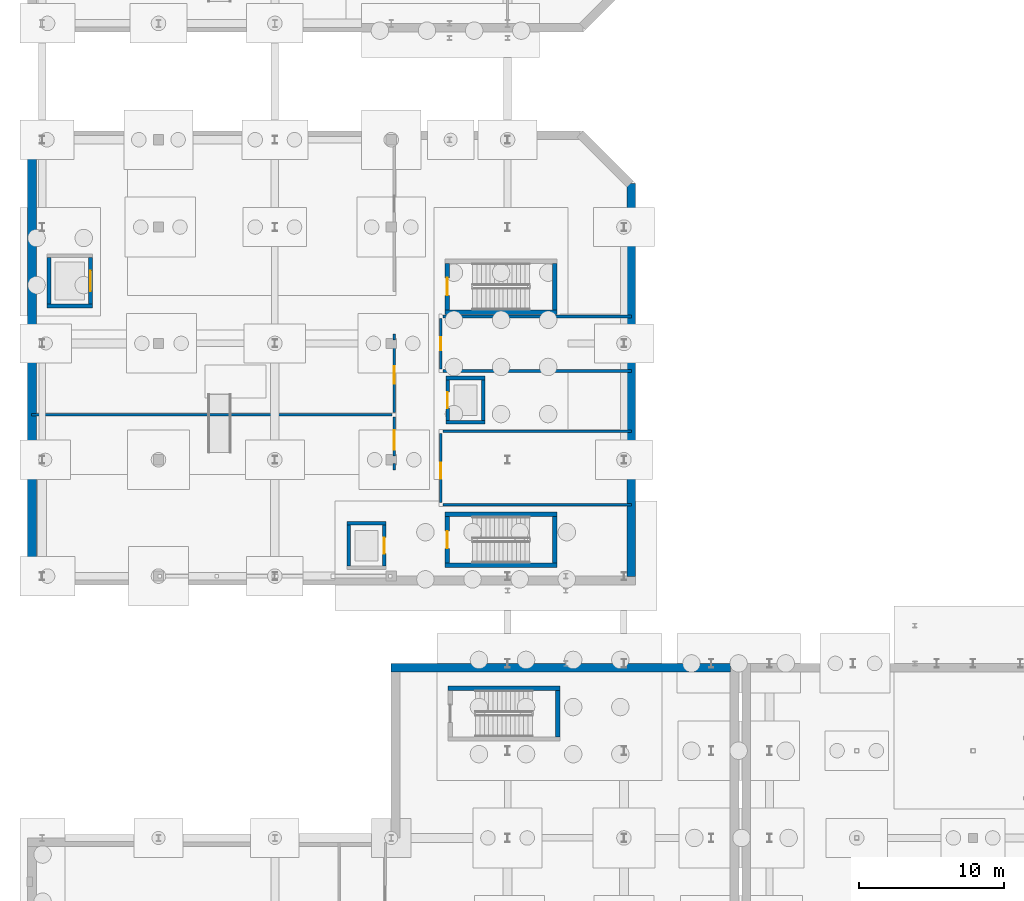
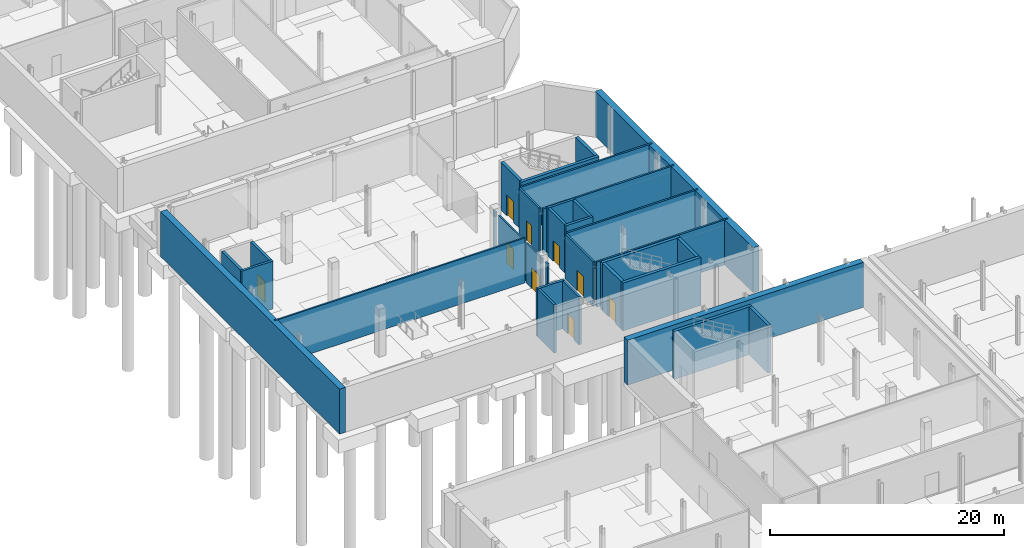
# One storey, part 24 of 47: 33 walls, 9 doors, 9 openings.
"""IFC4 building model written with IfcOpenShell, lengths in metres."""

from ifc_helpers import new_model, si_unit, direction, frame, frame_2d, origin, place, context, subcontext, project, spatial, rectangle, extrude, material, layer, layer_set, type_object, element, fill, save


model = new_model("IFC4")

# Units and contexts
model_context = context("Model", 3, precision=1e-05, world=origin(), true_north=direction((0.0, 1.0)))
body_context = subcontext(model_context, "Body", "Model", "MODEL_VIEW")
ifc_project = project(units=[si_unit("LENGTHUNIT", "METRE"), si_unit("AREAUNIT", "SQUARE_METRE"), si_unit("VOLUMEUNIT", "CUBIC_METRE"), si_unit("PLANEANGLEUNIT", "RADIAN"), si_unit("MASSUNIT", "GRAM", prefix="KILO")], contexts=[model_context])

# Site, building, storey
site_placement = place(None, origin())
site = spatial("IfcSite", under=ifc_project, at=site_placement, CompositionType="ELEMENT")
building_placement = place(site_placement, origin())
building = spatial("IfcBuilding", under=site, at=building_placement, Name="Cymarion Research Institute", CompositionType="ELEMENT")
storey_placement = place(building_placement, frame((0.0, 0.0, -5.0)))
storey = spatial("IfcBuildingStorey", under=building, at=storey_placement, Name="B1", CompositionType="ELEMENT", Elevation=-5.0)

# Walls
ifc_material_1 = material(Name="Concrete C35/45", Category="concrete")
ifc_layer_1 = layer(ifc_material_1, 0.60009765625)
ifc_layer_set_1 = layer_set([ifc_layer_1], Name="Concrete C35/45")
wall_type_1 = type_object("IfcWallType", Name="EXTERIOR WALL EW-RET600 600MM", PredefinedType="SHEAR", material=ifc_layer_set_1)
wall_1_placement = place(storey_placement, frame((53.91796875, 41.199951171875, 0.0), z_axis=(0.0, 0.0, 1.0), x_axis=(-1.0, 0.0, 0.0)))
element("IfcWall", 1, at=wall_1_placement, inside=storey, type_object=wall_type_1, Name="B1 V3 exterior wall EW-RET600 #24", PredefinedType="SHEAR", context=body_context, shape_type="SweptSolid", body=[
    extrude(rectangle(XDim=23.31787109375, YDim=0.60009765625, at=frame_2d((11.658935546875, 0.0))), origin(), (0.0, 0.0, 1.0), 4.699951171875),
])
wall_2_placement = place(storey_placement, frame((47.10009765625, 47.48193359375, 0.0), z_axis=(0.0, 0.0, 1.0), x_axis=(0.0, 1.0, 0.0)))
element("IfcWall", 2, at=wall_2_placement, inside=storey, type_object=wall_type_1, Name="B1 V4 exterior wall EW-RET600 #29", PredefinedType="SHEAR", context=body_context, shape_type="SweptSolid", body=[
    extrude(rectangle(XDim=27.01806640625, YDim=0.60009765625, at=frame_2d((13.509033203125, 0.0))), origin(), (0.0, 0.0, 1.0), 4.699951171875),
])
wall_3_placement = place(storey_placement, frame((5.89990234375, 77.51806640625, 0.0), z_axis=(0.0, 0.0, 1.0), x_axis=(0.0, -1.0, 0.0)))
element("IfcWall", 3, at=wall_3_placement, inside=storey, type_object=wall_type_1, Name="B1 V4 exterior wall EW-RET600 #32", PredefinedType="SHEAR", context=body_context, shape_type="SweptSolid", body=[
    extrude(rectangle(XDim=30.6181640625, YDim=0.60009765625, at=frame_2d((15.30908203125, 0.0))), origin(), (0.0, 0.0, 1.0), 4.699951171875),
])
ifc_material_2 = material(Name="ISO cleanroom modular flush panel wall", Category="metal")
ifc_layer_2 = layer(ifc_material_2, 0.159912109375)
ifc_layer_set_2 = layer_set([ifc_layer_2], Name="ISO cleanroom modular flush panel wall")
wall_type_2 = type_object("IfcWallType", Name="INTERIOR PARTITION IW-CL160 160MM", PredefinedType="PARTITIONING", material=ifc_layer_set_2)
wall_4_placement = place(storey_placement, frame((5.885009765625, 58.60009765625, 0.0), z_axis=(0.0, 0.0, 1.0), x_axis=(1.0, 0.0, 0.0)))
element("IfcWall", 4, at=wall_4_placement, inside=storey, type_object=wall_type_2, Name="B1 V4 interior partition IW-CL160 #24", PredefinedType="PARTITIONING", context=body_context, shape_type="SweptSolid", body=[
    extrude(rectangle(XDim=24.764892578125, YDim=0.159912109375, at=frame_2d((12.38232421875, 0.0))), origin(), (0.0, 0.0, 1.0), 4.699951171875),
])
wall_5_placement = place(storey_placement, frame((30.800048828125, 54.800048828125, 0.0), z_axis=(0.0, 0.0, 1.0), x_axis=(0.0, 1.0, 0.0)))
element("IfcWall", 5, at=wall_5_placement, inside=storey, type_object=wall_type_2, Name="B1 V4 interior partition IW-CL160 #25", PredefinedType="PARTITIONING", context=body_context, shape_type="SweptSolid", body=[
    extrude(rectangle(XDim=0.449951171875, YDim=0.159912109375, at=frame_2d((0.22509765625, 0.0))), origin(), (0.0, 0.0, 1.0), 4.199951171875),
])

# Wall, opening, door
wall_6_placement = place(storey_placement, frame((30.800048828125, 55.75, 0.0), z_axis=(0.0, 0.0, 1.0), x_axis=(0.0, 1.0, 0.0)))
wall_6 = element("IfcWall", 6, at=wall_6_placement, inside=storey, type_object=wall_type_2, Name="B1 V4 interior partition IW-CL160 #26", PredefinedType="PARTITIONING", context=body_context, shape_type="SweptSolid", body=[
    extrude(rectangle(XDim=2.699951171875, YDim=0.159912109375, at=frame_2d((1.35009765625, 0.0))), origin(), (0.0, 0.0, 1.0), 4.199951171875),
])
opening_1_placement = place(wall_6_placement, frame((0.43798828125, 0.0, 0.0)))
opening_1 = element("IfcOpeningElement", 7, at=opening_1_placement, cuts=wall_6, Name="Opening D-B1-022", PredefinedType="OPENING", context=body_context, shape_type="SweptSolid", body=[
    extrude(rectangle(XDim=1.35009765625, YDim=2.14990234375, at=frame_2d((0.675048828125, 1.074951171875))), frame((0.0, 0.08984375, 0.0), z_axis=(0.0, -1.0, 0.0), x_axis=(1.0, 0.0, 0.0)), (0.0, 0.0, 1.0), 0.179931640625),
])
ifc_material_3 = material(Name="Flush acoustic timber/steel door assembly", Category="steel")
door_type_1 = type_object("IfcDoorType", Name="CLEANROOM GOWNING DOOR DT-CL135 1350X2150", OperationType="NOTDEFINED", PredefinedType="DOOR", material=ifc_material_3)
door_1_placement = place(opening_1_placement, frame((1.35009765625, 0.0, 0.0), z_axis=(0.0, 0.0, 1.0), x_axis=(-1.0, 0.0, 0.0)))
door_1 = element("IfcDoor", 8, at=door_1_placement, inside=storey, type_object=door_type_1, Name="B1 Gowning Airlock door D-B1-022", OperationType="SINGLE_SWING_LEFT", OverallHeight=2.14990234375, OverallWidth=1.35009765625, PredefinedType="DOOR", context=body_context, shape_type="SweptSolid", body=[
    extrude(rectangle(XDim=1.35009765625, YDim=2.14990234375, at=frame_2d((0.675048828125, 1.074951171875))), frame((0.0, 0.02490234375, 0.0), z_axis=(0.0, -1.0, 0.0), x_axis=(1.0, 0.0, 0.0)), (0.0, 0.0, 1.0), 0.050048828125),
])
fill(opening_1, door_1)

wall_7_placement = place(storey_placement, frame((30.800048828125, 58.75, 0.0), z_axis=(0.0, 0.0, 1.0), x_axis=(0.0, 1.0, 0.0)))
wall_7 = element("IfcWall", 9, at=wall_7_placement, inside=storey, type_object=wall_type_2, Name="B1 V4 interior partition IW-CL160 #27", PredefinedType="PARTITIONING", context=body_context, shape_type="SweptSolid", body=[
    extrude(rectangle(XDim=4.5, YDim=0.159912109375, at=frame_2d((2.25, 0.0))), origin(), (0.0, 0.0, 1.0), 4.199951171875),
])
opening_2_placement = place(wall_7_placement, frame((1.97998046875, 0.0, 0.0)))
opening_2 = element("IfcOpeningElement", 10, at=opening_2_placement, cuts=wall_7, Name="Opening D-B1-023", PredefinedType="OPENING", context=body_context, shape_type="SweptSolid", body=[
    extrude(rectangle(XDim=1.199951171875, YDim=2.14990234375, at=frame_2d((0.60009765625, 1.074951171875))), frame((0.0, 0.08984375, 0.0), z_axis=(0.0, -1.0, 0.0), x_axis=(1.0, 0.0, 0.0)), (0.0, 0.0, 1.0), 0.179931640625),
])
door_type_2 = type_object("IfcDoorType", Name="CLEANROOM AIRLOCK INTERLOCK DOOR DT-CL120 1200X2150", OperationType="NOTDEFINED", PredefinedType="DOOR", material=ifc_material_3)
door_2_placement = place(opening_2_placement, origin())
door_2 = element("IfcDoor", 11, at=door_2_placement, inside=storey, type_object=door_type_2, Name="B1 Cleanroom Bay door D-B1-023", OperationType="SINGLE_SWING_RIGHT", OverallHeight=2.14990234375, OverallWidth=1.199951171875, PredefinedType="DOOR", context=body_context, shape_type="SweptSolid", body=[
    extrude(rectangle(XDim=1.199951171875, YDim=2.14990234375, at=frame_2d((0.60009765625, 1.074951171875))), frame((0.0, 0.02490234375, 0.0), z_axis=(0.0, -1.0, 0.0), x_axis=(1.0, 0.0, 0.0)), (0.0, 0.0, 1.0), 0.050048828125),
])
fill(opening_2, door_2)

# Walls
wall_8_placement = place(storey_placement, frame((30.800048828125, 63.75, 0.0), z_axis=(0.0, 0.0, 1.0), x_axis=(0.0, 1.0, 0.0)))
element("IfcWall", 12, at=wall_8_placement, inside=storey, type_object=wall_type_2, Name="B1 V4 interior partition IW-CL160 #28", PredefinedType="PARTITIONING", context=body_context, shape_type="SweptSolid", body=[
    extrude(rectangle(XDim=0.39990234375, YDim=0.159912109375, at=frame_2d((0.199951171875, 0.0))), origin(), (0.0, 0.0, 1.0), 4.199951171875),
])
ifc_material_4 = material(Name="Moisture-resistant laboratory partition", Category="gypsum")
ifc_layer_3 = layer(ifc_material_4, 0.179931640625)
ifc_layer_set_3 = layer_set([ifc_layer_3], Name="Moisture-resistant laboratory partition")
wall_type_3 = type_object("IfcWallType", Name="INTERIOR PARTITION IW-LB180 180MM", PredefinedType="PARTITIONING", material=ifc_layer_set_3)
for number, where, z_axis, x_axis, name in (
    (13, (34.14990234375, 52.39990234375, 0.0), (0.0, 0.0, 1.0), (1.0, 0.0, 0.0), "B1 V4 interior partition IW-LB180 #31"),
    (14, (34.14990234375, 57.449951171875, 0.0), (0.0, 0.0, 1.0), (1.0, 0.0, 0.0), "B1 V4 interior partition IW-LB180 #32"),
    (15, (34.14990234375, 61.60009765625, 0.0), (0.0, 0.0, 1.0), (1.0, 0.0, 0.0), "B1 V4 interior partition IW-LB180 #33"),
    (16, (34.14990234375, 65.35009765625, 0.0), (0.0, 0.0, 1.0), (1.0, 0.0, 0.0), "B1 V4 interior partition IW-LB180 #34"),
):
    element("IfcWall", number, at=place(storey_placement, frame(where, z_axis=z_axis, x_axis=x_axis)), inside=storey, type_object=wall_type_3, Name=name, PredefinedType="PARTITIONING", context=body_context, shape_type="SweptSolid", body=[
        extrude(rectangle(XDim=12.965087890625, YDim=0.179931640625, at=frame_2d((6.482421875, 0.0))), origin(), (0.0, 0.0, 1.0), 4.699951171875),
    ])

# Wall, opening, door
wall_9_placement = place(storey_placement, frame((34.0, 52.550048828125, 0.0), z_axis=(0.0, 0.0, 1.0), x_axis=(0.0, 1.0, 0.0)))
wall_9 = element("IfcWall", 17, at=wall_9_placement, inside=storey, type_object=wall_type_3, Name="B1 V4 interior partition IW-LB180 #35", PredefinedType="PARTITIONING", context=body_context, shape_type="SweptSolid", body=[
    extrude(rectangle(XDim=4.77001953125, YDim=0.179931640625, at=frame_2d((2.385009765625, 0.0))), origin(), (0.0, 0.0, 1.0), 4.699951171875),
])
opening_3_placement = place(wall_9_placement, frame((1.652099609375, 0.0, 0.0)))
opening_3 = element("IfcOpeningElement", 18, at=opening_3_placement, cuts=wall_9, Name="Opening D-B1-025", PredefinedType="OPENING", context=body_context, shape_type="SweptSolid", body=[
    extrude(rectangle(XDim=1.10009765625, YDim=2.14990234375, at=frame_2d((0.550048828125, 1.074951171875))), frame((0.0, 0.099853515625, 0.0), z_axis=(0.0, -1.0, 0.0), x_axis=(1.0, 0.0, 0.0)), (0.0, 0.0, 1.0), 0.199951171875),
])
door_type_3 = type_object("IfcDoorType", Name="LABORATORY WIDE SINGLE DOOR DT-LB110 1100X2150", OperationType="NOTDEFINED", PredefinedType="DOOR", material=ifc_material_3)
door_3_placement = place(opening_3_placement, origin())
door_3 = element("IfcDoor", 19, at=door_3_placement, inside=storey, type_object=door_type_3, Name="B1 East Lab Entry door D-B1-025", OperationType="SINGLE_SWING_RIGHT", OverallHeight=2.14990234375, OverallWidth=1.10009765625, PredefinedType="DOOR", context=body_context, shape_type="SweptSolid", body=[
    extrude(rectangle(XDim=1.10009765625, YDim=2.14990234375, at=frame_2d((0.550048828125, 1.074951171875))), frame((0.0, 0.02490234375, 0.0), z_axis=(0.0, -1.0, 0.0), x_axis=(1.0, 0.0, 0.0)), (0.0, 0.0, 1.0), 0.050048828125),
])
fill(opening_3, door_3)

wall_10_placement = place(storey_placement, frame((34.0, 61.75, 0.0), z_axis=(0.0, 0.0, 1.0), x_axis=(0.0, 1.0, 0.0)))
wall_10 = element("IfcWall", 20, at=wall_10_placement, inside=storey, type_object=wall_type_3, Name="B1 V4 interior partition IW-LB180 #36", PredefinedType="PARTITIONING", context=body_context, shape_type="SweptSolid", body=[
    extrude(rectangle(XDim=3.469970703125, YDim=0.179931640625, at=frame_2d((1.73486328125, 0.0))), origin(), (0.0, 0.0, 1.0), 4.699951171875),
])
opening_4_placement = place(wall_10_placement, frame((1.284912109375, 0.0, 0.0)))
opening_4 = element("IfcOpeningElement", 21, at=opening_4_placement, cuts=wall_10, Name="Opening D-B1-026", PredefinedType="OPENING", context=body_context, shape_type="SweptSolid", body=[
    extrude(rectangle(XDim=0.89990234375, YDim=2.10009765625, at=frame_2d((0.449951171875, 1.050048828125))), frame((0.0, 0.099853515625, 0.0), z_axis=(0.0, -1.0, 0.0), x_axis=(1.0, 0.0, 0.0)), (0.0, 0.0, 1.0), 0.199951171875),
])
door_type_4 = type_object("IfcDoorType", Name="ACCESSIBLE RESTROOM DOOR DT-WC090 900X2100", OperationType="NOTDEFINED", PredefinedType="DOOR", material=ifc_material_3)
door_4_placement = place(opening_4_placement, origin())
door_4 = element("IfcDoor", 22, at=door_4_placement, inside=storey, type_object=door_type_4, Name="B1 East WC Entry door D-B1-026", OperationType="SINGLE_SWING_LEFT", OverallHeight=2.10009765625, OverallWidth=0.89990234375, PredefinedType="DOOR", context=body_context, shape_type="SweptSolid", body=[
    extrude(rectangle(XDim=0.89990234375, YDim=2.10009765625, at=frame_2d((0.449951171875, 1.050048828125))), frame((0.0, 0.02490234375, 0.0), z_axis=(0.0, -1.0, 0.0), x_axis=(1.0, 0.0, 0.0)), (0.0, 0.0, 1.0), 0.050048828125),
])
fill(opening_4, door_4)

# Walls
ifc_material_5 = material(Name="Concrete C40/50", Category="concrete")
ifc_layer_4 = layer(ifc_material_5, 0.25)
ifc_layer_set_4 = layer_set([ifc_layer_4], Name="Concrete C40/50")
wall_type_4 = type_object("IfcWallType", Name="REINFORCED CONCRETE CORE WALL CW-SH250 250MM", PredefinedType="SHEAR", material=ifc_layer_set_4)
wall_11_placement = place(storey_placement, frame((30.25, 51.125, 0.0), z_axis=(0.0, 0.0, 1.0), x_axis=(-1.0, 0.0, 0.0)))
element("IfcWall", 23, at=wall_11_placement, inside=storey, type_object=wall_type_4, Name="B1 LSH-LP1-B1 north core wall", PredefinedType="SHEAR", context=body_context, shape_type="SweptSolid", body=[
    extrude(rectangle(XDim=2.699951171875, YDim=0.25, at=frame_2d((1.35009765625, 0.0))), origin(), (0.0, 0.0, 1.0), 5.0),
])
wall_12_placement = place(storey_placement, frame((27.675048828125, 51.0, 0.0), z_axis=(0.0, 0.0, 1.0), x_axis=(0.0, -1.0, 0.0)))
element("IfcWall", 24, at=wall_12_placement, inside=storey, type_object=wall_type_4, Name="B1 LSH-LP1-B1 west core wall", PredefinedType="SHEAR", context=body_context, shape_type="SweptSolid", body=[
    extrude(rectangle(XDim=2.800048828125, YDim=0.25, at=frame_2d((1.39990234375, 0.0))), origin(), (0.0, 0.0, 1.0), 5.0),
])

# Wall, opening, door
wall_13_placement = place(storey_placement, frame((30.125, 48.199951171875, 0.0), z_axis=(0.0, 0.0, 1.0), x_axis=(0.0, 1.0, 0.0)))
wall_13 = element("IfcWall", 25, at=wall_13_placement, inside=storey, type_object=wall_type_4, Name="B1 LSH-LP1-B1 east core wall", PredefinedType="SHEAR", context=body_context, shape_type="SweptSolid", body=[
    extrude(rectangle(XDim=2.800048828125, YDim=0.25, at=frame_2d((1.39990234375, 0.0))), origin(), (0.0, 0.0, 1.0), 5.0),
])
opening_5_placement = place(wall_13_placement, frame((0.85009765625, 0.0, 0.0)))
opening_5 = element("IfcOpeningElement", 26, at=opening_5_placement, cuts=wall_13, Name="Opening LD-LP1-B1", PredefinedType="OPENING", context=body_context, shape_type="SweptSolid", body=[
    extrude(rectangle(XDim=1.10009765625, YDim=2.14990234375, at=frame_2d((0.550048828125, 1.074951171875))), frame((0.0, 0.135009765625, 0.0), z_axis=(0.0, -1.0, 0.0), x_axis=(1.0, 0.0, 0.0)), (0.0, 0.0, 1.0), 0.27001953125),
])
ifc_material_6 = material(Name="Fire-rated insulated steel door assembly", Category="steel")
door_type_5 = type_object("IfcDoorType", Name="SLIDING LIFT LANDING DOOR DT-LD110 1100X2150", OperationType="DOUBLE_DOOR_SLIDING", PredefinedType="DOOR", material=ifc_material_6)
door_5_placement = place(opening_5_placement, origin())
door_5 = element("IfcDoor", 27, at=door_5_placement, inside=storey, type_object=door_type_5, Name="Lift LP1 landing door B1", OperationType="DOUBLE_DOOR_SLIDING", OverallHeight=2.14990234375, OverallWidth=1.10009765625, PredefinedType="DOOR", context=body_context, shape_type="SweptSolid", body=[
    extrude(rectangle(XDim=1.10009765625, YDim=2.14990234375, at=frame_2d((0.550048828125, 1.074951171875))), frame((0.0, 0.02490234375, 0.0), z_axis=(0.0, -1.0, 0.0), x_axis=(1.0, 0.0, 0.0)), (0.0, 0.0, 1.0), 0.050048828125),
])
fill(opening_5, door_5)

# Walls
for number, where, z_axis, x_axis, name in (
    (28, (34.35009765625, 58.074951171875, 0.0), (0.0, 0.0, 1.0), (1.0, 0.0, 0.0), "B1 LSH-LP4-B1 south core wall"),
    (29, (37.050048828125, 61.125, 0.0), (0.0, 0.0, 1.0), (-1.0, 0.0, 0.0), "B1 LSH-LP4-B1 north core wall"),
):
    element("IfcWall", number, at=place(storey_placement, frame(where, z_axis=z_axis, x_axis=x_axis)), inside=storey, type_object=wall_type_4, Name=name, PredefinedType="SHEAR", context=body_context, shape_type="SweptSolid", body=[
        extrude(rectangle(XDim=2.699951171875, YDim=0.25, at=frame_2d((1.35009765625, 0.0))), origin(), (0.0, 0.0, 1.0), 5.0),
    ])

# Wall, opening, door
wall_14_placement = place(storey_placement, frame((34.47509765625, 61.0, 0.0), z_axis=(0.0, 0.0, 1.0), x_axis=(0.0, -1.0, 0.0)))
wall_14 = element("IfcWall", 30, at=wall_14_placement, inside=storey, type_object=wall_type_4, Name="B1 LSH-LP4-B1 west core wall", PredefinedType="SHEAR", context=body_context, shape_type="SweptSolid", body=[
    extrude(rectangle(XDim=2.800048828125, YDim=0.25, at=frame_2d((1.39990234375, 0.0))), origin(), (0.0, 0.0, 1.0), 5.0),
])
opening_6_placement = place(wall_14_placement, frame((0.85009765625, 0.0, 0.0)))
opening_6 = element("IfcOpeningElement", 31, at=opening_6_placement, cuts=wall_14, Name="Opening LD-LP4-B1", PredefinedType="OPENING", context=body_context, shape_type="SweptSolid", body=[
    extrude(rectangle(XDim=1.10009765625, YDim=2.14990234375, at=frame_2d((0.550048828125, 1.074951171875))), frame((0.0, 0.135009765625, 0.0), z_axis=(0.0, -1.0, 0.0), x_axis=(1.0, 0.0, 0.0)), (0.0, 0.0, 1.0), 0.27001953125),
])
door_6_placement = place(opening_6_placement, origin())
door_6 = element("IfcDoor", 32, at=door_6_placement, inside=storey, type_object=door_type_5, Name="Lift LP4 landing door B1", OperationType="DOUBLE_DOOR_SLIDING", OverallHeight=2.14990234375, OverallWidth=1.10009765625, PredefinedType="DOOR", context=body_context, shape_type="SweptSolid", body=[
    extrude(rectangle(XDim=1.10009765625, YDim=2.14990234375, at=frame_2d((0.550048828125, 1.074951171875))), frame((0.0, 0.02490234375, 0.0), z_axis=(0.0, -1.0, 0.0), x_axis=(1.0, 0.0, 0.0)), (0.0, 0.0, 1.0), 0.050048828125),
])
fill(opening_6, door_6)

# Walls
wall_15_placement = place(storey_placement, frame((36.925048828125, 58.199951171875, 0.0), z_axis=(0.0, 0.0, 1.0), x_axis=(0.0, 1.0, 0.0)))
element("IfcWall", 33, at=wall_15_placement, inside=storey, type_object=wall_type_4, Name="B1 LSH-LP4-B1 east core wall", PredefinedType="SHEAR", context=body_context, shape_type="SweptSolid", body=[
    extrude(rectangle(XDim=2.800048828125, YDim=0.25, at=frame_2d((1.39990234375, 0.0))), origin(), (0.0, 0.0, 1.0), 5.0),
])
wall_16_placement = place(storey_placement, frame((6.949951171875, 66.074951171875, 0.0), z_axis=(0.0, 0.0, 1.0), x_axis=(1.0, 0.0, 0.0)))
element("IfcWall", 34, at=wall_16_placement, inside=storey, type_object=wall_type_4, Name="B1 LSH-LG1-B1 south core wall", PredefinedType="SHEAR", context=body_context, shape_type="SweptSolid", body=[
    extrude(rectangle(XDim=3.10009765625, YDim=0.25, at=frame_2d((1.550048828125, 0.0))), origin(), (0.0, 0.0, 1.0), 5.0),
])
wall_17_placement = place(storey_placement, frame((7.074951171875, 69.39990234375, 0.0), z_axis=(0.0, 0.0, 1.0), x_axis=(0.0, -1.0, 0.0)))
element("IfcWall", 35, at=wall_17_placement, inside=storey, type_object=wall_type_4, Name="B1 LSH-LG1-B1 west core wall", PredefinedType="SHEAR", context=body_context, shape_type="SweptSolid", body=[
    extrude(rectangle(XDim=3.199951171875, YDim=0.25, at=frame_2d((1.60009765625, 0.0))), origin(), (0.0, 0.0, 1.0), 5.0),
])

# Wall, opening, door
wall_18_placement = place(storey_placement, frame((9.925048828125, 66.199951171875, 0.0), z_axis=(0.0, 0.0, 1.0), x_axis=(0.0, 1.0, 0.0)))
wall_18 = element("IfcWall", 36, at=wall_18_placement, inside=storey, type_object=wall_type_4, Name="B1 LSH-LG1-B1 east core wall", PredefinedType="SHEAR", context=body_context, shape_type="SweptSolid", body=[
    extrude(rectangle(XDim=3.199951171875, YDim=0.25, at=frame_2d((1.60009765625, 0.0))), origin(), (0.0, 0.0, 1.0), 5.0),
])
opening_7_placement = place(wall_18_placement, frame((0.89990234375, 0.0, 0.0)))
opening_7 = element("IfcOpeningElement", 37, at=opening_7_placement, cuts=wall_18, Name="Opening LD-LG1-B1", PredefinedType="OPENING", context=body_context, shape_type="SweptSolid", body=[
    extrude(rectangle(XDim=1.39990234375, YDim=2.199951171875, at=frame_2d((0.699951171875, 1.10009765625))), frame((0.0, 0.135009765625, 0.0), z_axis=(0.0, -1.0, 0.0), x_axis=(1.0, 0.0, 0.0)), (0.0, 0.0, 1.0), 0.27001953125),
])
door_type_6 = type_object("IfcDoorType", Name="GOODS LIFT SLIDING LANDING DOOR DT-LD140 1400X2200", OperationType="DOUBLE_DOOR_SLIDING", PredefinedType="DOOR", material=ifc_material_6)
door_7_placement = place(opening_7_placement, origin())
door_7 = element("IfcDoor", 38, at=door_7_placement, inside=storey, type_object=door_type_6, Name="Lift LG1 landing door B1", OperationType="DOUBLE_DOOR_SLIDING", OverallHeight=2.199951171875, OverallWidth=1.39990234375, PredefinedType="DOOR", context=body_context, shape_type="SweptSolid", body=[
    extrude(rectangle(XDim=1.39990234375, YDim=2.199951171875, at=frame_2d((0.699951171875, 1.10009765625))), frame((0.0, 0.02490234375, 0.0), z_axis=(0.0, -1.0, 0.0), x_axis=(1.0, 0.0, 0.0)), (0.0, 0.0, 1.0), 0.050048828125),
])
fill(opening_7, door_7)

# Walls
ifc_layer_5 = layer(ifc_material_5, 0.300048828125)
ifc_layer_set_5 = layer_set([ifc_layer_5], Name="Concrete C40/50")
wall_type_5 = type_object("IfcWallType", Name="REINFORCED CONCRETE CORE WALL CW-SH300 300MM", PredefinedType="SHEAR", material=ifc_layer_set_5)
wall_19_placement = place(storey_placement, frame((42.199951171875, 39.800048828125, 0.0), z_axis=(0.0, 0.0, 1.0), x_axis=(-1.0, 0.0, 0.0)))
element("IfcWall", 39, at=wall_19_placement, inside=storey, type_object=wall_type_5, Name="B1 SHW-C6-B1 north core wall", PredefinedType="SHEAR", context=body_context, shape_type="SweptSolid", body=[
    extrude(rectangle(XDim=7.699951171875, YDim=0.300048828125, at=frame_2d((3.85009765625, 0.0))), origin(), (0.0, 0.0, 1.0), 5.0),
])
wall_20_placement = place(storey_placement, frame((42.050048828125, 36.449951171875, 0.0), z_axis=(0.0, 0.0, 1.0), x_axis=(0.0, 1.0, 0.0)))
element("IfcWall", 40, at=wall_20_placement, inside=storey, type_object=wall_type_5, Name="B1 SHW-C6-B1 east core wall", PredefinedType="SHEAR", context=body_context, shape_type="SweptSolid", body=[
    extrude(rectangle(XDim=3.199951171875, YDim=0.300048828125, at=frame_2d((1.60009765625, 0.0))), origin(), (0.0, 0.0, 1.0), 5.0),
])
for number, where, z_axis, x_axis, name in (
    (41, (34.300048828125, 48.25, 0.0), (0.0, 0.0, 1.0), (1.0, 0.0, 0.0), "B1 SHW-C7-B1 south core wall"),
    (42, (42.0, 51.75, 0.0), (0.0, 0.0, 1.0), (-1.0, 0.0, 0.0), "B1 SHW-C7-B1 north core wall"),
):
    element("IfcWall", number, at=place(storey_placement, frame(where, z_axis=z_axis, x_axis=x_axis)), inside=storey, type_object=wall_type_5, Name=name, PredefinedType="SHEAR", context=body_context, shape_type="SweptSolid", body=[
        extrude(rectangle(XDim=7.699951171875, YDim=0.300048828125, at=frame_2d((3.85009765625, 0.0))), origin(), (0.0, 0.0, 1.0), 5.0),
    ])

# Wall, opening, door
wall_21_placement = place(storey_placement, frame((34.449951171875, 51.60009765625, 0.0), z_axis=(0.0, 0.0, 1.0), x_axis=(0.0, -1.0, 0.0)))
wall_21 = element("IfcWall", 43, at=wall_21_placement, inside=storey, type_object=wall_type_5, Name="B1 SHW-C7-B1 west core wall", PredefinedType="SHEAR", context=body_context, shape_type="SweptSolid", body=[
    extrude(rectangle(XDim=3.2001953125, YDim=0.300048828125, at=frame_2d((1.60009765625, 0.0))), origin(), (0.0, 0.0, 1.0), 5.0),
])
opening_8_placement = place(wall_21_placement, frame((1.0, 0.0, 0.0)))
opening_8 = element("IfcOpeningElement", 44, at=opening_8_placement, cuts=wall_21, Name="Opening FD-B1-ST7", PredefinedType="OPENING", context=body_context, shape_type="SweptSolid", body=[
    extrude(rectangle(XDim=1.199951171875, YDim=2.14990234375, at=frame_2d((0.60009765625, 1.074951171875))), frame((0.0, 0.159912109375, 0.0), z_axis=(0.0, -1.0, 0.0), x_axis=(1.0, 0.0, 0.0)), (0.0, 0.0, 1.0), 0.320068359375),
])
door_type_7 = type_object("IfcDoorType", Name="SMOKE PROOF STAIR FIRE DOOR DT-ST120 1200X2150", OperationType="NOTDEFINED", PredefinedType="DOOR", material=ifc_material_6)
door_8_placement = place(opening_8_placement, origin())
door_8 = element("IfcDoor", 45, at=door_8_placement, inside=storey, type_object=door_type_7, Name="B1 ST7 smoke-proof stair door FD-B1-ST7", OperationType="SINGLE_SWING_LEFT", OverallHeight=2.14990234375, OverallWidth=1.199951171875, PredefinedType="DOOR", context=body_context, shape_type="SweptSolid", body=[
    extrude(rectangle(XDim=1.199951171875, YDim=2.14990234375, at=frame_2d((0.60009765625, 1.074951171875))), frame((0.0, 0.02490234375, 0.0), z_axis=(0.0, -1.0, 0.0), x_axis=(1.0, 0.0, 0.0)), (0.0, 0.0, 1.0), 0.050048828125),
])
fill(opening_8, door_8)

# Walls
wall_22_placement = place(storey_placement, frame((41.85009765625, 48.39990234375, 0.0), z_axis=(0.0, 0.0, 1.0), x_axis=(0.0, 1.0, 0.0)))
element("IfcWall", 46, at=wall_22_placement, inside=storey, type_object=wall_type_5, Name="B1 SHW-C7-B1 east core wall", PredefinedType="SHEAR", context=body_context, shape_type="SweptSolid", body=[
    extrude(rectangle(XDim=3.2001953125, YDim=0.300048828125, at=frame_2d((1.60009765625, 0.0))), origin(), (0.0, 0.0, 1.0), 5.0),
])
wall_23_placement = place(storey_placement, frame((34.300048828125, 65.64990234375, 0.0), z_axis=(0.0, 0.0, 1.0), x_axis=(1.0, 0.0, 0.0)))
element("IfcWall", 47, at=wall_23_placement, inside=storey, type_object=wall_type_5, Name="B1 SHW-C8-B1 south core wall", PredefinedType="SHEAR", context=body_context, shape_type="SweptSolid", body=[
    extrude(rectangle(XDim=7.699951171875, YDim=0.300048828125, at=frame_2d((3.85009765625, 0.0))), origin(), (0.0, 0.0, 1.0), 5.0),
])

# Wall, opening, door
wall_24_placement = place(storey_placement, frame((34.449951171875, 69.0, 0.0), z_axis=(0.0, 0.0, 1.0), x_axis=(0.0, -1.0, 0.0)))
wall_24 = element("IfcWall", 48, at=wall_24_placement, inside=storey, type_object=wall_type_5, Name="B1 SHW-C8-B1 west core wall", PredefinedType="SHEAR", context=body_context, shape_type="SweptSolid", body=[
    extrude(rectangle(XDim=3.199951171875, YDim=0.300048828125, at=frame_2d((1.60009765625, 0.0))), origin(), (0.0, 0.0, 1.0), 5.0),
])
opening_9_placement = place(wall_24_placement, frame((1.0, 0.0, 0.0)))
opening_9 = element("IfcOpeningElement", 49, at=opening_9_placement, cuts=wall_24, Name="Opening FD-B1-ST8", PredefinedType="OPENING", context=body_context, shape_type="SweptSolid", body=[
    extrude(rectangle(XDim=1.199951171875, YDim=2.14990234375, at=frame_2d((0.60009765625, 1.074951171875))), frame((0.0, 0.159912109375, 0.0), z_axis=(0.0, -1.0, 0.0), x_axis=(1.0, 0.0, 0.0)), (0.0, 0.0, 1.0), 0.320068359375),
])
door_9_placement = place(opening_9_placement, origin())
door_9 = element("IfcDoor", 50, at=door_9_placement, inside=storey, type_object=door_type_7, Name="B1 ST8 smoke-proof stair door FD-B1-ST8", OperationType="SINGLE_SWING_RIGHT", OverallHeight=2.14990234375, OverallWidth=1.199951171875, PredefinedType="DOOR", context=body_context, shape_type="SweptSolid", body=[
    extrude(rectangle(XDim=1.199951171875, YDim=2.14990234375, at=frame_2d((0.60009765625, 1.074951171875))), frame((0.0, 0.02490234375, 0.0), z_axis=(0.0, -1.0, 0.0), x_axis=(1.0, 0.0, 0.0)), (0.0, 0.0, 1.0), 0.050048828125),
])
fill(opening_9, door_9)

# Wall
wall_25_placement = place(storey_placement, frame((41.85009765625, 65.800048828125, 0.0), z_axis=(0.0, 0.0, 1.0), x_axis=(0.0, 1.0, 0.0)))
element("IfcWall", 51, at=wall_25_placement, inside=storey, type_object=wall_type_5, Name="B1 SHW-C8-B1 east core wall", PredefinedType="SHEAR", context=body_context, shape_type="SweptSolid", body=[
    extrude(rectangle(XDim=3.199951171875, YDim=0.300048828125, at=frame_2d((1.60009765625, 0.0))), origin(), (0.0, 0.0, 1.0), 5.0),
])

save(model, "model.ifc")
